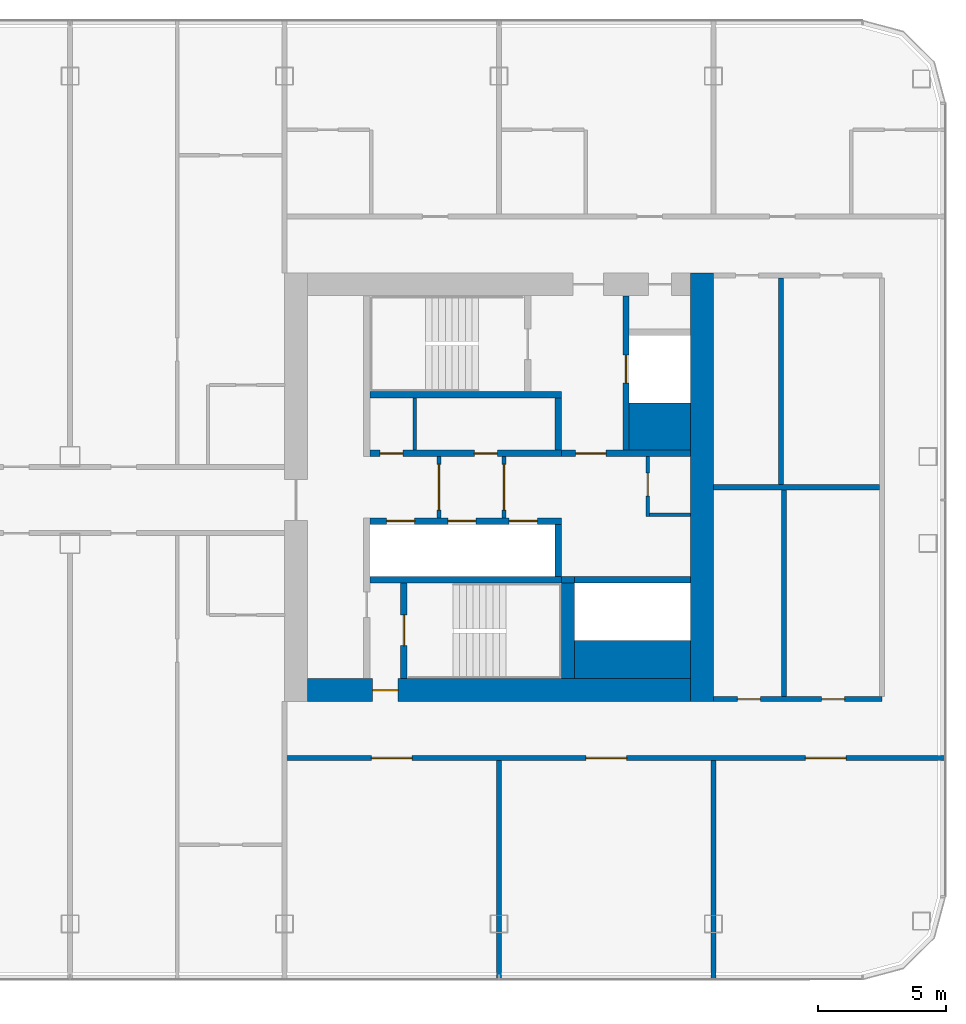
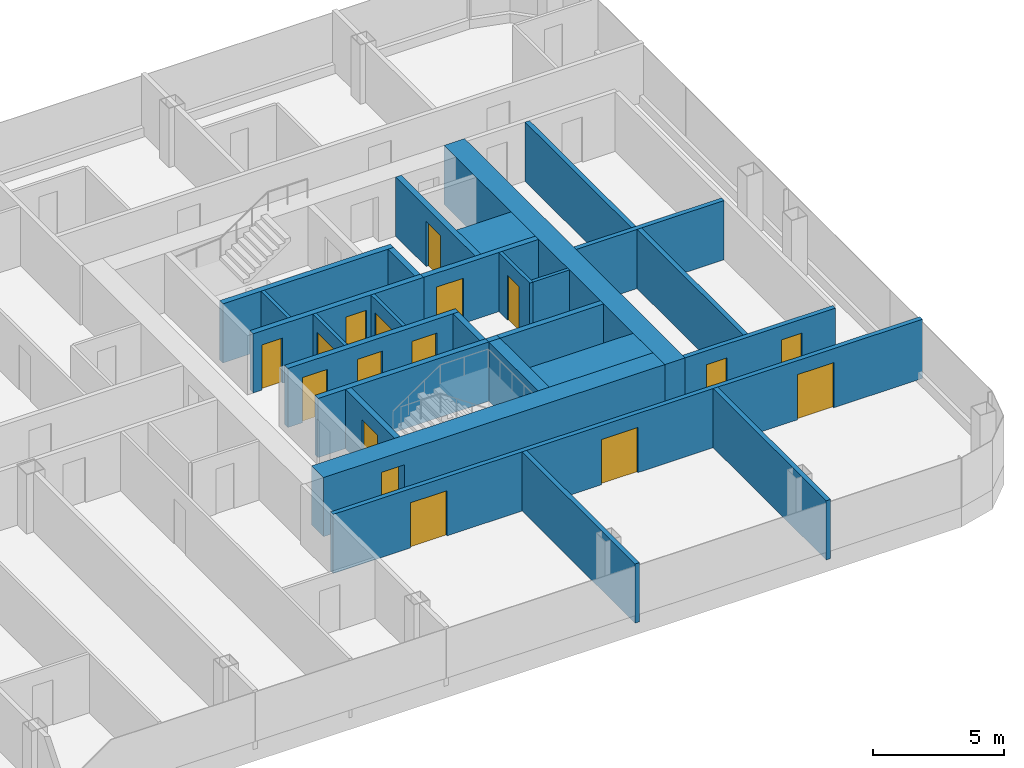
# One storey, part 16 of 26: 28 walls, 17 doors, 17 openings.
"""IFC4 building model written with IfcOpenShell, lengths in metres."""

from ifc_helpers import new_model, si_unit, direction, frame, frame_2d, origin, place, context, subcontext, project, spatial, rectangle, extrude, material, layer, layer_set, type_object, element, fill, save


model = new_model("IFC4")

# Units and contexts
model_context = context("Model", 3, precision=1e-05, world=origin(), true_north=direction((0.0, 1.0)))
body_context = subcontext(model_context, "Body", "Model", "MODEL_VIEW")
ifc_project = project(units=[si_unit("LENGTHUNIT", "METRE"), si_unit("AREAUNIT", "SQUARE_METRE"), si_unit("VOLUMEUNIT", "CUBIC_METRE"), si_unit("PLANEANGLEUNIT", "RADIAN"), si_unit("MASSUNIT", "GRAM", prefix="KILO")], contexts=[model_context])

# Site, building, storey
site_placement = place(None, origin())
site = spatial("IfcSite", under=ifc_project, at=site_placement, CompositionType="ELEMENT")
building_placement = place(site_placement, origin())
building = spatial("IfcBuilding", under=site, at=building_placement, Name="Hakoniwa Tower and Hamabe Station Hall", CompositionType="ELEMENT")
storey_placement = place(building_placement, frame((0.0, 0.0, 143.800048828125)))
storey = spatial("IfcBuildingStorey", under=building, at=storey_placement, Name="L40", CompositionType="ELEMENT", Elevation=143.800048828125)

# Wall, opening, door
ifc_material_1 = material(Name="Gypsum board partition")
ifc_layer_1 = layer(ifc_material_1, 0.14990234375)
ifc_layer_set_1 = layer_set([ifc_layer_1], Name="CORE PARTITION 150 EI 60")
wall_type_1 = type_object("IfcWallType", Name="CORE PARTITION 150 EI 60", PredefinedType="PARTITIONING", material=ifc_layer_set_1)
wall_1_placement = place(storey_placement, frame((22.85009765625, -1.199951171875, 0.0), z_axis=(0.0, 0.0, 1.0), x_axis=(0.0, 1.0, 0.0)))
wall_1 = element("IfcWall", 1, at=wall_1_placement, inside=storey, type_object=wall_type_1, Name="Core partition PL0 east", PredefinedType="PARTITIONING", context=body_context, shape_type="SweptSolid", body=[
    extrude(rectangle(XDim=2.39990234375, YDim=0.14990234375, at=frame_2d((1.199951171875, 0.0))), origin(), (0.0, 0.0, 1.0), 2.75),
])
opening_1_placement = place(wall_1_placement, frame((0.300048828125, 0.0, 0.0)))
opening_1 = element("IfcOpeningElement", 2, at=opening_1_placement, cuts=wall_1, Name="Opening CD-E-LP0-18", PredefinedType="OPENING", context=body_context, shape_type="SweptSolid", body=[
    extrude(rectangle(XDim=1.800048828125, YDim=2.10009765625, at=frame_2d((0.89990234375, 1.050048828125))), frame((0.0, 0.0849609375, 0.0), z_axis=(0.0, -1.0, 0.0), x_axis=(1.0, 0.0, 0.0)), (0.0, 0.0, 1.0), 0.169921875),
])
ifc_material_2 = material(Name="Steel fire door", Category="steel")
door_type_1 = type_object("IfcDoorType", Name="CORE DOOR 1800 FD60", OperationType="DOUBLE_DOOR_SINGLE_SWING", PredefinedType="DOOR", material=ifc_material_2)
door_1_placement = place(opening_1_placement, origin())
door_1 = element("IfcDoor", 3, at=door_1_placement, inside=storey, type_object=door_type_1, Name="Lift lobby partition door", OperationType="DOUBLE_DOOR_SINGLE_SWING", OverallHeight=2.10009765625, OverallWidth=1.800048828125, PredefinedType="DOOR", context=body_context, shape_type="SweptSolid", body=[
    extrude(rectangle(XDim=1.800048828125, YDim=2.10009765625, at=frame_2d((0.89990234375, 1.050048828125))), frame((0.0, 0.02490234375, 0.0), z_axis=(0.0, -1.0, 0.0), x_axis=(1.0, 0.0, 0.0)), (0.0, 0.0, 1.0), 0.050048828125),
])
fill(opening_1, door_1)

wall_2_placement = place(storey_placement, frame((25.39990234375, -1.199951171875, 0.0), z_axis=(0.0, 0.0, 1.0), x_axis=(0.0, 1.0, 0.0)))
wall_2 = element("IfcWall", 4, at=wall_2_placement, inside=storey, type_object=wall_type_1, Name="Core partition PL1 east", PredefinedType="PARTITIONING", context=body_context, shape_type="SweptSolid", body=[
    extrude(rectangle(XDim=2.39990234375, YDim=0.14990234375, at=frame_2d((1.199951171875, 0.0))), origin(), (0.0, 0.0, 1.0), 2.75),
])
opening_2_placement = place(wall_2_placement, frame((0.300048828125, 0.0, 0.0)))
opening_2 = element("IfcOpeningElement", 5, at=opening_2_placement, cuts=wall_2, Name="Opening CD-E-LP1-18", PredefinedType="OPENING", context=body_context, shape_type="SweptSolid", body=[
    extrude(rectangle(XDim=1.800048828125, YDim=2.10009765625, at=frame_2d((0.89990234375, 1.050048828125))), frame((0.0, 0.0849609375, 0.0), z_axis=(0.0, -1.0, 0.0), x_axis=(1.0, 0.0, 0.0)), (0.0, 0.0, 1.0), 0.169921875),
])
door_2_placement = place(opening_2_placement, origin())
door_2 = element("IfcDoor", 6, at=door_2_placement, inside=storey, type_object=door_type_1, Name="Lift lobby partition door", OperationType="DOUBLE_DOOR_SINGLE_SWING", OverallHeight=2.10009765625, OverallWidth=1.800048828125, PredefinedType="DOOR", context=body_context, shape_type="SweptSolid", body=[
    extrude(rectangle(XDim=1.800048828125, YDim=2.10009765625, at=frame_2d((0.89990234375, 1.050048828125))), frame((0.0, 0.02490234375, 0.0), z_axis=(0.0, -1.0, 0.0), x_axis=(1.0, 0.0, 0.0)), (0.0, 0.0, 1.0), 0.050048828125),
])
fill(opening_2, door_2)

wall_3_placement = place(storey_placement, frame((31.02490234375, -1.14990234375, 0.0), z_axis=(0.0, 0.0, 1.0), x_axis=(0.0, 1.0, 0.0)))
wall_3 = element("IfcWall", 7, at=wall_3_placement, inside=storey, type_object=wall_type_1, Name="Core partition PW0 east", PredefinedType="PARTITIONING", context=body_context, shape_type="SweptSolid", body=[
    extrude(rectangle(XDim=2.349853515625, YDim=0.14990234375, at=frame_2d((1.1748046875, 0.0))), origin(), (0.0, 0.0, 1.0), 2.75),
])
opening_3_placement = place(wall_3_placement, frame((0.800048828125, 0.0, 0.0)))
opening_3 = element("IfcOpeningElement", 8, at=opening_3_placement, cuts=wall_3, Name="Opening CD-E-RM1-9", PredefinedType="OPENING", context=body_context, shape_type="SweptSolid", body=[
    extrude(rectangle(XDim=0.89990234375, YDim=2.10009765625, at=frame_2d((0.449951171875, 1.050048828125))), frame((0.0, 0.0849609375, 0.0), z_axis=(0.0, -1.0, 0.0), x_axis=(1.0, 0.0, 0.0)), (0.0, 0.0, 1.0), 0.169921875),
])
ifc_material_3 = material(Name="Steel fire door", Category="steel")
door_type_2 = type_object("IfcDoorType", Name="CORE DOOR 900 FD30", OperationType="NOTDEFINED", PredefinedType="DOOR", material=ifc_material_3)
door_3_placement = place(opening_3_placement, origin())
door_3 = element("IfcDoor", 9, at=door_3_placement, inside=storey, type_object=door_type_2, Name="Store room door", OperationType="SINGLE_SWING_LEFT", OverallHeight=2.10009765625, OverallWidth=0.89990234375, PredefinedType="DOOR", context=body_context, shape_type="SweptSolid", body=[
    extrude(rectangle(XDim=0.89990234375, YDim=2.10009765625, at=frame_2d((0.449951171875, 1.050048828125))), frame((0.0, 0.02490234375, 0.0), z_axis=(0.0, -1.0, 0.0), x_axis=(1.0, 0.0, 0.0)), (0.0, 0.0, 1.0), 0.050048828125),
])
fill(opening_3, door_3)

# Walls
wall_4_placement = place(storey_placement, frame((31.10009765625, -1.074951171875, 0.0), z_axis=(0.0, 0.0, 1.0), x_axis=(1.0, 0.0, 0.0)))
element("IfcWall", 10, at=wall_4_placement, inside=storey, type_object=wall_type_1, Name="Core partition PS east", PredefinedType="PARTITIONING", context=body_context, shape_type="SweptSolid", body=[
    extrude(rectangle(XDim=1.599853515625, YDim=0.14990234375, at=frame_2d((0.7998046875, 0.0))), origin(), (0.0, 0.0, 1.0), 2.75),
])
wall_5_placement = place(storey_placement, frame((21.89990234375, 1.449951171875, 0.0), z_axis=(0.0, 0.0, 1.0), x_axis=(0.0, 1.0, 0.0)))
element("IfcWall", 11, at=wall_5_placement, inside=storey, type_object=wall_type_1, Name="Core partition PFLR0 east", PredefinedType="PARTITIONING", context=body_context, shape_type="SweptSolid", body=[
    extrude(rectangle(XDim=2.050048828125, YDim=0.14990234375, at=frame_2d((1.02490234375, 0.0))), origin(), (0.0, 0.0, 1.0), 2.75),
])
ifc_material_4 = material(Name="Concrete C66", Category="concrete")
ifc_layer_2 = layer(ifc_material_4, 0.89990234375)
ifc_layer_set_2 = layer_set([ifc_layer_2], Name="CORE WALL 900 C66")
wall_type_2 = type_object("IfcWallType", Name="CORE WALL 900 C66", PredefinedType="SHEAR", material=ifc_layer_set_2)
wall_6_placement = place(storey_placement, frame((33.14990234375, -8.39990234375, 0.0), z_axis=(0.0, 0.0, 1.0), x_axis=(0.0, 1.0, 0.0)))
element("IfcWall", 12, at=wall_6_placement, inside=storey, type_object=wall_type_2, Name="Core wall OUTER east", PredefinedType="SHEAR", context=body_context, shape_type="SweptSolid", body=[
    extrude(rectangle(XDim=16.7998046875, YDim=0.89990234375, at=frame_2d((8.39990234375, 0.0))), origin(), (0.0, 0.0, 1.0), 2.75),
])

# Wall, opening, door
wall_7_placement = place(storey_placement, frame((17.699951171875, -7.949951171875, 0.0), z_axis=(0.0, 0.0, 1.0), x_axis=(1.0, 0.0, 0.0)))
wall_7 = element("IfcWall", 13, at=wall_7_placement, inside=storey, type_object=wall_type_2, Name="Core wall SOUTH east", PredefinedType="SHEAR", context=body_context, shape_type="SweptSolid", body=[
    extrude(rectangle(XDim=15.0, YDim=0.89990234375, at=frame_2d((7.5, 0.0))), origin(), (0.0, 0.0, 1.0), 2.75),
])
opening_4_placement = place(wall_7_placement, frame((2.550048828125, 0.0, 0.0)))
opening_4 = element("IfcOpeningElement", 14, at=opening_4_placement, cuts=wall_7, Name="Opening CD-E-FS3-10", PredefinedType="OPENING", context=body_context, shape_type="SweptSolid", body=[
    extrude(rectangle(XDim=1.0, YDim=2.10009765625, at=frame_2d((0.5, 1.050048828125))), frame((0.0, 0.4599609375, 0.0), z_axis=(0.0, -1.0, 0.0), x_axis=(1.0, 0.0, 0.0)), (0.0, 0.0, 1.0), 0.919921875),
])
ifc_material_5 = material(Name="Steel fire door", Category="steel")
door_type_3 = type_object("IfcDoorType", Name="CORE DOOR 1000 FD60", OperationType="NOTDEFINED", PredefinedType="DOOR", material=ifc_material_5)
door_4_placement = place(opening_4_placement, origin())
door_4 = element("IfcDoor", 15, at=door_4_placement, inside=storey, type_object=door_type_3, Name="Stair vestibule door", OperationType="SINGLE_SWING_RIGHT", OverallHeight=2.10009765625, OverallWidth=1.0, PredefinedType="DOOR", context=body_context, shape_type="SweptSolid", body=[
    extrude(rectangle(XDim=1.0, YDim=2.10009765625, at=frame_2d((0.5, 1.050048828125))), frame((0.0, 0.02490234375, 0.0), z_axis=(0.0, -1.0, 0.0), x_axis=(1.0, 0.0, 0.0)), (0.0, 0.0, 1.0), 0.050048828125),
])
fill(opening_4, door_4)

# Walls
ifc_material_6 = material(Name="Concrete C66", Category="concrete")
ifc_layer_3 = layer(ifc_material_6, 1.5)
ifc_layer_set_3 = layer_set([ifc_layer_3], Name="CORE WEB WALL 1500 C66")
wall_type_3 = type_object("IfcWallType", Name="CORE WEB WALL 1500 C66", PredefinedType="SHEAR", material=ifc_layer_set_3)
wall_8_placement = place(storey_placement, frame((28.14990234375, -6.75, 0.0), z_axis=(0.0, 0.0, 1.0), x_axis=(1.0, 0.0, 0.0)))
element("IfcWall", 16, at=wall_8_placement, inside=storey, type_object=wall_type_3, Name="Core wall SER east", PredefinedType="SHEAR", context=body_context, shape_type="SweptSolid", body=[
    extrude(rectangle(XDim=4.550048828125, YDim=1.5, at=frame_2d((2.27490234375, 0.0))), origin(), (0.0, 0.0, 1.0), 2.75),
])
ifc_material_7 = material(Name="Concrete C66", Category="concrete")
ifc_layer_4 = layer(ifc_material_7, 1.85009765625)
ifc_layer_set_4 = layer_set([ifc_layer_4], Name="CORE WEB WALL 1850 C66")
wall_type_4 = type_object("IfcWallType", Name="CORE WEB WALL 1850 C66", PredefinedType="SHEAR", material=ifc_layer_set_4)
wall_9_placement = place(storey_placement, frame((30.300048828125, 2.375, 0.0), z_axis=(0.0, 0.0, 1.0), x_axis=(1.0, 0.0, 0.0)))
element("IfcWall", 17, at=wall_9_placement, inside=storey, type_object=wall_type_4, Name="Core wall CA east", PredefinedType="SHEAR", context=body_context, shape_type="SweptSolid", body=[
    extrude(rectangle(XDim=2.39990234375, YDim=1.85009765625, at=frame_2d((1.199951171875, 0.0))), origin(), (0.0, 0.0, 1.0), 2.75),
])

# Wall, openings, doors
ifc_material_8 = material(Name="Concrete C66", Category="concrete")
ifc_layer_5 = layer(ifc_material_8, 0.25)
ifc_layer_set_5 = layer_set([ifc_layer_5], Name="CORE WEB WALL 250 C66")
wall_type_5 = type_object("IfcWallType", Name="CORE WEB WALL 250 C66", PredefinedType="SHEAR", material=ifc_layer_set_5)
wall_10_placement = place(storey_placement, frame((20.14990234375, 1.324951171875, 0.0), z_axis=(0.0, 0.0, 1.0), x_axis=(1.0, 0.0, 0.0)))
wall_10 = element("IfcWall", 18, at=wall_10_placement, inside=storey, type_object=wall_type_5, Name="Core wall NF east", PredefinedType="SHEAR", context=body_context, shape_type="SweptSolid", body=[
    extrude(rectangle(XDim=7.5, YDim=0.25, at=frame_2d((3.75, 0.0))), origin(), (0.0, 0.0, 1.0), 2.75),
])
opening_5_placement = place(wall_10_placement, frame((0.387451171875, 0.0, 0.0)))
opening_5 = element("IfcOpeningElement", 19, at=opening_5_placement, cuts=wall_10, Name="Opening CD-E-FRLR0-9", PredefinedType="OPENING", context=body_context, shape_type="SweptSolid", body=[
    extrude(rectangle(XDim=0.89990234375, YDim=2.10009765625, at=frame_2d((0.449951171875, 1.050048828125))), frame((0.0, 0.135009765625, 0.0), z_axis=(0.0, -1.0, 0.0), x_axis=(1.0, 0.0, 0.0)), (0.0, 0.0, 1.0), 0.27001953125),
])
opening_6_placement = place(wall_10_placement, frame((4.08740234375, 0.0, 0.0)))
opening_6 = element("IfcOpeningElement", 20, at=opening_6_placement, cuts=wall_10, Name="Opening CD-E-FRLR1-9", PredefinedType="OPENING", context=body_context, shape_type="SweptSolid", body=[
    extrude(rectangle(XDim=0.89990234375, YDim=2.10009765625, at=frame_2d((0.449951171875, 1.050048828125))), frame((0.0, 0.135009765625, 0.0), z_axis=(0.0, -1.0, 0.0), x_axis=(1.0, 0.0, 0.0)), (0.0, 0.0, 1.0), 0.27001953125),
])
door_5_placement = place(opening_5_placement, origin())
door_5 = element("IfcDoor", 21, at=door_5_placement, inside=storey, type_object=door_type_2, Name="Store room door", OperationType="SINGLE_SWING_RIGHT", OverallHeight=2.10009765625, OverallWidth=0.89990234375, PredefinedType="DOOR", context=body_context, shape_type="SweptSolid", body=[
    extrude(rectangle(XDim=0.89990234375, YDim=2.10009765625, at=frame_2d((0.449951171875, 1.050048828125))), frame((0.0, 0.02490234375, 0.0), z_axis=(0.0, -1.0, 0.0), x_axis=(1.0, 0.0, 0.0)), (0.0, 0.0, 1.0), 0.050048828125),
])
fill(opening_5, door_5)
door_6_placement = place(opening_6_placement, origin())
door_6 = element("IfcDoor", 22, at=door_6_placement, inside=storey, type_object=door_type_2, Name="Store room door", OperationType="SINGLE_SWING_LEFT", OverallHeight=2.10009765625, OverallWidth=0.89990234375, PredefinedType="DOOR", context=body_context, shape_type="SweptSolid", body=[
    extrude(rectangle(XDim=0.89990234375, YDim=2.10009765625, at=frame_2d((0.449951171875, 1.050048828125))), frame((0.0, 0.02490234375, 0.0), z_axis=(0.0, -1.0, 0.0), x_axis=(1.0, 0.0, 0.0)), (0.0, 0.0, 1.0), 0.050048828125),
])
fill(opening_6, door_6)

# Walls
wall_11_placement = place(storey_placement, frame((27.52490234375, 1.449951171875, 0.0), z_axis=(0.0, 0.0, 1.0), x_axis=(0.0, 1.0, 0.0)))
element("IfcWall", 23, at=wall_11_placement, inside=storey, type_object=wall_type_5, Name="Core wall NE east", PredefinedType="SHEAR", context=body_context, shape_type="SweptSolid", body=[
    extrude(rectangle(XDim=2.050048828125, YDim=0.25, at=frame_2d((1.02490234375, 0.0))), origin(), (0.0, 0.0, 1.0), 2.75),
])
wall_12_placement = place(storey_placement, frame((20.14990234375, 3.625, 0.0), z_axis=(0.0, 0.0, 1.0), x_axis=(1.0, 0.0, 0.0)))
element("IfcWall", 24, at=wall_12_placement, inside=storey, type_object=wall_type_5, Name="Core wall NR east", PredefinedType="SHEAR", context=body_context, shape_type="SweptSolid", body=[
    extrude(rectangle(XDim=7.5, YDim=0.25, at=frame_2d((3.75, 0.0))), origin(), (0.0, 0.0, 1.0), 2.75),
])

# Wall, opening, door
wall_13_placement = place(storey_placement, frame((27.64990234375, 1.324951171875, 0.0), z_axis=(0.0, 0.0, 1.0), x_axis=(1.0, 0.0, 0.0)))
wall_13 = element("IfcWall", 25, at=wall_13_placement, inside=storey, type_object=wall_type_5, Name="Core wall ELN east", PredefinedType="SHEAR", context=body_context, shape_type="SweptSolid", body=[
    extrude(rectangle(XDim=5.050048828125, YDim=0.25, at=frame_2d((2.52490234375, 0.0))), origin(), (0.0, 0.0, 1.0), 2.75),
])
opening_7_placement = place(wall_13_placement, frame((0.550048828125, 0.0, 0.0)))
opening_7 = element("IfcOpeningElement", 26, at=opening_7_placement, cuts=wall_13, Name="Opening CD-E-FL-12", PredefinedType="OPENING", context=body_context, shape_type="SweptSolid", body=[
    extrude(rectangle(XDim=1.199951171875, YDim=2.10009765625, at=frame_2d((0.60009765625, 1.050048828125))), frame((0.0, 0.135009765625, 0.0), z_axis=(0.0, -1.0, 0.0), x_axis=(1.0, 0.0, 0.0)), (0.0, 0.0, 1.0), 0.27001953125),
])
ifc_material_9 = material(Name="Steel fire door", Category="steel")
door_type_4 = type_object("IfcDoorType", Name="CORE DOOR 1200 FD60", OperationType="DOUBLE_DOOR_SINGLE_SWING", PredefinedType="DOOR", material=ifc_material_9)
door_7_placement = place(opening_7_placement, origin())
door_7 = element("IfcDoor", 27, at=door_7_placement, inside=storey, type_object=door_type_4, Name="Stair vestibule door to the fire-fighting lobby", OperationType="DOUBLE_DOOR_SINGLE_SWING", OverallHeight=2.10009765625, OverallWidth=1.199951171875, PredefinedType="DOOR", context=body_context, shape_type="SweptSolid", body=[
    extrude(rectangle(XDim=1.199951171875, YDim=2.10009765625, at=frame_2d((0.60009765625, 1.050048828125))), frame((0.0, 0.02490234375, 0.0), z_axis=(0.0, -1.0, 0.0), x_axis=(1.0, 0.0, 0.0)), (0.0, 0.0, 1.0), 0.050048828125),
])
fill(opening_7, door_7)

wall_14_placement = place(storey_placement, frame((30.175048828125, 1.449951171875, 0.0), z_axis=(0.0, 0.0, 1.0), x_axis=(0.0, 1.0, 0.0)))
wall_14 = element("IfcWall", 28, at=wall_14_placement, inside=storey, type_object=wall_type_5, Name="Core wall FFF east", PredefinedType="SHEAR", context=body_context, shape_type="SweptSolid", body=[
    extrude(rectangle(XDim=6.050048828125, YDim=0.25, at=frame_2d((3.02490234375, 0.0))), origin(), (0.0, 0.0, 1.0), 2.75),
])
opening_8_placement = place(wall_14_placement, frame((2.625, 0.0, 0.0)))
opening_8 = element("IfcOpeningElement", 29, at=opening_8_placement, cuts=wall_14, Name="Opening LD-FF2", PredefinedType="OPENING", context=body_context, shape_type="SweptSolid", body=[
    extrude(rectangle(XDim=1.10009765625, YDim=2.10009765625, at=frame_2d((0.550048828125, 1.050048828125))), frame((0.0, 0.135009765625, 0.0), z_axis=(0.0, -1.0, 0.0), x_axis=(1.0, 0.0, 0.0)), (0.0, 0.0, 1.0), 0.27001953125),
])
ifc_material_10 = material(Name="Stainless steel SUS304", Category="steel")
door_type_5 = type_object("IfcDoorType", Name="LIFT LANDING DOOR 1100 FD60", OperationType="DOUBLE_DOOR_SLIDING", PredefinedType="DOOR", material=ifc_material_10)
door_8_placement = place(opening_8_placement, origin())
door_8 = element("IfcDoor", 30, at=door_8_placement, inside=storey, type_object=door_type_5, Name="Lift landing door FF2 L40", OperationType="DOUBLE_DOOR_SLIDING", OverallHeight=2.10009765625, OverallWidth=1.10009765625, PredefinedType="DOOR", context=body_context, shape_type="SweptSolid", body=[
    extrude(rectangle(XDim=1.10009765625, YDim=2.10009765625, at=frame_2d((0.550048828125, 1.050048828125))), frame((0.0, 0.02490234375, 0.0), z_axis=(0.0, -1.0, 0.0), x_axis=(1.0, 0.0, 0.0)), (0.0, 0.0, 1.0), 0.050048828125),
])
fill(opening_8, door_8)

# Wall, openings, doors
wall_15_placement = place(storey_placement, frame((20.14990234375, -1.324951171875, 0.0), z_axis=(0.0, 0.0, 1.0), x_axis=(1.0, 0.0, 0.0)))
wall_15 = element("IfcWall", 31, at=wall_15_placement, inside=storey, type_object=wall_type_5, Name="Core wall SF east", PredefinedType="SHEAR", context=body_context, shape_type="SweptSolid", body=[
    extrude(rectangle(XDim=7.5, YDim=0.25, at=frame_2d((3.75, 0.0))), origin(), (0.0, 0.0, 1.0), 2.75),
])
opening_9_placement = place(wall_15_placement, frame((0.64990234375, 0.0, 0.0)))
opening_9 = element("IfcOpeningElement", 32, at=opening_9_placement, cuts=wall_15, Name="Opening LD-HR4", PredefinedType="OPENING", context=body_context, shape_type="SweptSolid", body=[
    extrude(rectangle(XDim=1.10009765625, YDim=2.10009765625, at=frame_2d((0.550048828125, 1.050048828125))), frame((0.0, 0.135009765625, 0.0), z_axis=(0.0, -1.0, 0.0), x_axis=(1.0, 0.0, 0.0)), (0.0, 0.0, 1.0), 0.27001953125),
])
opening_10_placement = place(wall_15_placement, frame((3.050048828125, 0.0, 0.0)))
opening_10 = element("IfcOpeningElement", 33, at=opening_10_placement, cuts=wall_15, Name="Opening LD-HR5", PredefinedType="OPENING", context=body_context, shape_type="SweptSolid", body=[
    extrude(rectangle(XDim=1.10009765625, YDim=2.10009765625, at=frame_2d((0.550048828125, 1.050048828125))), frame((0.0, 0.135009765625, 0.0), z_axis=(0.0, -1.0, 0.0), x_axis=(1.0, 0.0, 0.0)), (0.0, 0.0, 1.0), 0.27001953125),
])
opening_11_placement = place(wall_15_placement, frame((5.449951171875, 0.0, 0.0)))
opening_11 = element("IfcOpeningElement", 34, at=opening_11_placement, cuts=wall_15, Name="Opening LD-HR6", PredefinedType="OPENING", context=body_context, shape_type="SweptSolid", body=[
    extrude(rectangle(XDim=1.10009765625, YDim=2.10009765625, at=frame_2d((0.550048828125, 1.050048828125))), frame((0.0, 0.135009765625, 0.0), z_axis=(0.0, -1.0, 0.0), x_axis=(1.0, 0.0, 0.0)), (0.0, 0.0, 1.0), 0.27001953125),
])
door_9_placement = place(opening_9_placement, origin())
door_9 = element("IfcDoor", 35, at=door_9_placement, inside=storey, type_object=door_type_5, Name="Lift landing door HR4 L40", OperationType="DOUBLE_DOOR_SLIDING", OverallHeight=2.10009765625, OverallWidth=1.10009765625, PredefinedType="DOOR", context=body_context, shape_type="SweptSolid", body=[
    extrude(rectangle(XDim=1.10009765625, YDim=2.10009765625, at=frame_2d((0.550048828125, 1.050048828125))), frame((0.0, 0.02490234375, 0.0), z_axis=(0.0, -1.0, 0.0), x_axis=(1.0, 0.0, 0.0)), (0.0, 0.0, 1.0), 0.050048828125),
])
fill(opening_9, door_9)
door_10_placement = place(opening_10_placement, origin())
door_10 = element("IfcDoor", 36, at=door_10_placement, inside=storey, type_object=door_type_5, Name="Lift landing door HR5 L40", OperationType="DOUBLE_DOOR_SLIDING", OverallHeight=2.10009765625, OverallWidth=1.10009765625, PredefinedType="DOOR", context=body_context, shape_type="SweptSolid", body=[
    extrude(rectangle(XDim=1.10009765625, YDim=2.10009765625, at=frame_2d((0.550048828125, 1.050048828125))), frame((0.0, 0.02490234375, 0.0), z_axis=(0.0, -1.0, 0.0), x_axis=(1.0, 0.0, 0.0)), (0.0, 0.0, 1.0), 0.050048828125),
])
fill(opening_10, door_10)
door_11_placement = place(opening_11_placement, origin())
door_11 = element("IfcDoor", 37, at=door_11_placement, inside=storey, type_object=door_type_5, Name="Lift landing door HR6 L40", OperationType="DOUBLE_DOOR_SLIDING", OverallHeight=2.10009765625, OverallWidth=1.10009765625, PredefinedType="DOOR", context=body_context, shape_type="SweptSolid", body=[
    extrude(rectangle(XDim=1.10009765625, YDim=2.10009765625, at=frame_2d((0.550048828125, 1.050048828125))), frame((0.0, 0.02490234375, 0.0), z_axis=(0.0, -1.0, 0.0), x_axis=(1.0, 0.0, 0.0)), (0.0, 0.0, 1.0), 0.050048828125),
])
fill(opening_11, door_11)

# Walls
wall_16_placement = place(storey_placement, frame((27.52490234375, -3.5, 0.0), z_axis=(0.0, 0.0, 1.0), x_axis=(0.0, 1.0, 0.0)))
element("IfcWall", 38, at=wall_16_placement, inside=storey, type_object=wall_type_5, Name="Core wall SE east", PredefinedType="SHEAR", context=body_context, shape_type="SweptSolid", body=[
    extrude(rectangle(XDim=2.050048828125, YDim=0.25, at=frame_2d((1.02490234375, 0.0))), origin(), (0.0, 0.0, 1.0), 2.75),
])
wall_17_placement = place(storey_placement, frame((20.14990234375, -3.625, 0.0), z_axis=(0.0, 0.0, 1.0), x_axis=(1.0, 0.0, 0.0)))
element("IfcWall", 39, at=wall_17_placement, inside=storey, type_object=wall_type_5, Name="Core wall SR east", PredefinedType="SHEAR", context=body_context, shape_type="SweptSolid", body=[
    extrude(rectangle(XDim=7.5, YDim=0.25, at=frame_2d((3.75, 0.0))), origin(), (0.0, 0.0, 1.0), 2.75),
])

# Wall, opening, door
wall_18_placement = place(storey_placement, frame((21.47509765625, -7.5, 0.0), z_axis=(0.0, 0.0, 1.0), x_axis=(0.0, 1.0, 0.0)))
wall_18 = element("IfcWall", 40, at=wall_18_placement, inside=storey, type_object=wall_type_5, Name="Core wall VE east", PredefinedType="SHEAR", context=body_context, shape_type="SweptSolid", body=[
    extrude(rectangle(XDim=3.75, YDim=0.25, at=frame_2d((1.875, 0.0))), origin(), (0.0, 0.0, 1.0), 2.75),
])
opening_12_placement = place(wall_18_placement, frame((1.300048828125, 0.0, 0.0)))
opening_12 = element("IfcOpeningElement", 41, at=opening_12_placement, cuts=wall_18, Name="Opening CD-E-SS-12", PredefinedType="OPENING", context=body_context, shape_type="SweptSolid", body=[
    extrude(rectangle(XDim=1.199951171875, YDim=2.10009765625, at=frame_2d((0.60009765625, 1.050048828125))), frame((0.0, 0.135009765625, 0.0), z_axis=(0.0, -1.0, 0.0), x_axis=(1.0, 0.0, 0.0)), (0.0, 0.0, 1.0), 0.27001953125),
])
door_12_placement = place(opening_12_placement, origin())
door_12 = element("IfcDoor", 42, at=door_12_placement, inside=storey, type_object=door_type_4, Name="Escape stair door", OperationType="DOUBLE_DOOR_SINGLE_SWING", OverallHeight=2.10009765625, OverallWidth=1.199951171875, PredefinedType="DOOR", context=body_context, shape_type="SweptSolid", body=[
    extrude(rectangle(XDim=1.199951171875, YDim=2.10009765625, at=frame_2d((0.60009765625, 1.050048828125))), frame((0.0, 0.02490234375, 0.0), z_axis=(0.0, -1.0, 0.0), x_axis=(1.0, 0.0, 0.0)), (0.0, 0.0, 1.0), 0.050048828125),
])
fill(opening_12, door_12)

# Walls
wall_19_placement = place(storey_placement, frame((28.14990234375, -3.625, 0.0), z_axis=(0.0, 0.0, 1.0), x_axis=(1.0, 0.0, 0.0)))
element("IfcWall", 43, at=wall_19_placement, inside=storey, type_object=wall_type_5, Name="Core wall SEF east", PredefinedType="SHEAR", context=body_context, shape_type="SweptSolid", body=[
    extrude(rectangle(XDim=4.550048828125, YDim=0.25, at=frame_2d((2.27490234375, 0.0))), origin(), (0.0, 0.0, 1.0), 2.75),
])
wall_20_placement = place(storey_placement, frame((27.64990234375, -3.625, 0.0), z_axis=(0.0, 0.0, 1.0), x_axis=(1.0, 0.0, 0.0)))
element("IfcWall", 44, at=wall_20_placement, inside=storey, type_object=wall_type_5, Name="Core wall SRK east", PredefinedType="SHEAR", context=body_context, shape_type="SweptSolid", body=[
    extrude(rectangle(XDim=0.5, YDim=0.25, at=frame_2d((0.25, 0.0))), origin(), (0.0, 0.0, 1.0), 2.75),
])
ifc_material_11 = material(Name="Concrete C66", Category="concrete")
ifc_layer_6 = layer(ifc_material_11, 0.5)
ifc_layer_set_6 = layer_set([ifc_layer_6], Name="CORE WEB WALL 500 C66")
wall_type_6 = type_object("IfcWallType", Name="CORE WEB WALL 500 C66", PredefinedType="SHEAR", material=ifc_layer_set_6)
wall_21_placement = place(storey_placement, frame((27.89990234375, -7.5, 0.0), z_axis=(0.0, 0.0, 1.0), x_axis=(0.0, 1.0, 0.0)))
element("IfcWall", 45, at=wall_21_placement, inside=storey, type_object=wall_type_6, Name="Core wall SSE east", PredefinedType="SHEAR", context=body_context, shape_type="SweptSolid", body=[
    extrude(rectangle(XDim=3.75, YDim=0.5, at=frame_2d((1.875, 0.0))), origin(), (0.0, 0.0, 1.0), 2.75),
])

# Wall, openings, doors
ifc_material_12 = material(Name="Fire-rated gypsum board partition", Category="gypsum")
ifc_layer_7 = layer(ifc_material_12, 0.199951171875)
ifc_layer_set_7 = layer_set([ifc_layer_7], Name="Corridor Wall 200")
wall_type_7 = type_object("IfcWallType", Name="Corridor Wall 200", PredefinedType="PARTITIONING", material=ifc_layer_set_7)
wall_22_placement = place(storey_placement, frame((16.800048828125, -10.60009765625, 0.0), z_axis=(0.0, 0.0, 1.0), x_axis=(1.0, 0.0, 0.0)))
wall_22 = element("IfcWall", 46, at=wall_22_placement, inside=storey, type_object=wall_type_7, Name="GW-L40-005", PredefinedType="PARTITIONING", context=body_context, shape_type="SweptSolid", body=[
    extrude(rectangle(XDim=25.89990234375, YDim=0.199951171875, at=frame_2d((12.949951171875, 0.0))), origin(), (0.0, 0.0, 1.0), 2.75),
])
opening_13_placement = place(wall_22_placement, frame((3.39990234375, 0.0, 0.0)))
opening_13 = element("IfcOpeningElement", 47, at=opening_13_placement, cuts=wall_22, Name="Opening GD-G3E0-10", PredefinedType="OPENING", context=body_context, shape_type="SweptSolid", body=[
    extrude(rectangle(XDim=1.60009765625, YDim=2.10009765625, at=frame_2d((0.800048828125, 1.050048828125))), frame((0.0, 0.10986328125, 0.0), z_axis=(0.0, -1.0, 0.0), x_axis=(1.0, 0.0, 0.0)), (0.0, 0.0, 1.0), 0.219970703125),
])
opening_14_placement = place(wall_22_placement, frame((11.800048828125, 0.0, 0.0)))
opening_14 = element("IfcOpeningElement", 48, at=opening_14_placement, cuts=wall_22, Name="Opening GD-G3E0-11", PredefinedType="OPENING", context=body_context, shape_type="SweptSolid", body=[
    extrude(rectangle(XDim=1.60009765625, YDim=2.10009765625, at=frame_2d((0.800048828125, 1.050048828125))), frame((0.0, 0.10986328125, 0.0), z_axis=(0.0, -1.0, 0.0), x_axis=(1.0, 0.0, 0.0)), (0.0, 0.0, 1.0), 0.219970703125),
])
opening_15_placement = place(wall_22_placement, frame((20.39990234375, 0.0, 0.0)))
opening_15 = element("IfcOpeningElement", 49, at=opening_15_placement, cuts=wall_22, Name="Opening GD-G3E0-12", PredefinedType="OPENING", context=body_context, shape_type="SweptSolid", body=[
    extrude(rectangle(XDim=1.60009765625, YDim=2.10009765625, at=frame_2d((0.800048828125, 1.050048828125))), frame((0.0, 0.10986328125, 0.0), z_axis=(0.0, -1.0, 0.0), x_axis=(1.0, 0.0, 0.0)), (0.0, 0.0, 1.0), 0.219970703125),
])
ifc_material_13 = material(Name="Timber door leaf", Category="wood")
door_type_6 = type_object("IfcDoorType", Name="Double Door 1600", OperationType="DOUBLE_DOOR_SINGLE_SWING", PredefinedType="DOOR", material=ifc_material_13)
door_13_placement = place(opening_13_placement, origin())
door_13 = element("IfcDoor", 50, at=door_13_placement, inside=storey, type_object=door_type_6, Name="Door GD-G3E0-10", OperationType="DOUBLE_DOOR_SINGLE_SWING", OverallHeight=2.10009765625, OverallWidth=1.60009765625, PredefinedType="DOOR", context=body_context, shape_type="SweptSolid", body=[
    extrude(rectangle(XDim=1.60009765625, YDim=2.10009765625, at=frame_2d((0.800048828125, 1.050048828125))), frame((0.0, 0.02490234375, 0.0), z_axis=(0.0, -1.0, 0.0), x_axis=(1.0, 0.0, 0.0)), (0.0, 0.0, 1.0), 0.050048828125),
])
fill(opening_13, door_13)
door_14_placement = place(opening_14_placement, origin())
door_14 = element("IfcDoor", 51, at=door_14_placement, inside=storey, type_object=door_type_6, Name="Door GD-G3E0-11", OperationType="DOUBLE_DOOR_SINGLE_SWING", OverallHeight=2.10009765625, OverallWidth=1.60009765625, PredefinedType="DOOR", context=body_context, shape_type="SweptSolid", body=[
    extrude(rectangle(XDim=1.60009765625, YDim=2.10009765625, at=frame_2d((0.800048828125, 1.050048828125))), frame((0.0, 0.02490234375, 0.0), z_axis=(0.0, -1.0, 0.0), x_axis=(1.0, 0.0, 0.0)), (0.0, 0.0, 1.0), 0.050048828125),
])
fill(opening_14, door_14)
door_15_placement = place(opening_15_placement, origin())
door_15 = element("IfcDoor", 52, at=door_15_placement, inside=storey, type_object=door_type_6, Name="Door GD-G3E0-12", OperationType="DOUBLE_DOOR_SINGLE_SWING", OverallHeight=2.10009765625, OverallWidth=1.60009765625, PredefinedType="DOOR", context=body_context, shape_type="SweptSolid", body=[
    extrude(rectangle(XDim=1.60009765625, YDim=2.10009765625, at=frame_2d((0.800048828125, 1.050048828125))), frame((0.0, 0.02490234375, 0.0), z_axis=(0.0, -1.0, 0.0), x_axis=(1.0, 0.0, 0.0)), (0.0, 0.0, 1.0), 0.050048828125),
])
fill(opening_15, door_15)

wall_23_placement = place(storey_placement, frame((33.60009765625, -8.300048828125, 0.0), z_axis=(0.0, 0.0, 1.0), x_axis=(1.0, 0.0, 0.0)))
wall_23 = element("IfcWall", 53, at=wall_23_placement, inside=storey, type_object=wall_type_7, Name="GW-L40-007", PredefinedType="PARTITIONING", context=body_context, shape_type="SweptSolid", body=[
    extrude(rectangle(XDim=6.599853515625, YDim=0.199951171875, at=frame_2d((3.2998046875, 0.0))), origin(), (0.0, 0.0, 1.0), 2.75),
])
opening_16_placement = place(wall_23_placement, frame((0.93505859375, 0.0, 0.0)))
opening_16 = element("IfcOpeningElement", 54, at=opening_16_placement, cuts=wall_23, Name="Opening GD-G3E0-15", PredefinedType="OPENING", context=body_context, shape_type="SweptSolid", body=[
    extrude(rectangle(XDim=0.89990234375, YDim=2.10009765625, at=frame_2d((0.449951171875, 1.050048828125))), frame((0.0, 0.10986328125, 0.0), z_axis=(0.0, -1.0, 0.0), x_axis=(1.0, 0.0, 0.0)), (0.0, 0.0, 1.0), 0.219970703125),
])
opening_17_placement = place(wall_23_placement, frame((4.235107421875, 0.0, 0.0)))
opening_17 = element("IfcOpeningElement", 55, at=opening_17_placement, cuts=wall_23, Name="Opening GD-G3E0-16", PredefinedType="OPENING", context=body_context, shape_type="SweptSolid", body=[
    extrude(rectangle(XDim=0.89990234375, YDim=2.10009765625, at=frame_2d((0.449951171875, 1.050048828125))), frame((0.0, 0.10986328125, 0.0), z_axis=(0.0, -1.0, 0.0), x_axis=(1.0, 0.0, 0.0)), (0.0, 0.0, 1.0), 0.219970703125),
])
ifc_material_14 = material(Name="Timber door leaf", Category="wood")
door_type_7 = type_object("IfcDoorType", Name="Service Door 900", OperationType="SINGLE_SWING_LEFT", PredefinedType="DOOR", material=ifc_material_14)
door_16_placement = place(opening_16_placement, origin())
door_16 = element("IfcDoor", 56, at=door_16_placement, inside=storey, type_object=door_type_7, Name="Door GD-G3E0-15", OperationType="SINGLE_SWING_LEFT", OverallHeight=2.10009765625, OverallWidth=0.89990234375, PredefinedType="DOOR", context=body_context, shape_type="SweptSolid", body=[
    extrude(rectangle(XDim=0.89990234375, YDim=2.10009765625, at=frame_2d((0.449951171875, 1.050048828125))), frame((0.0, 0.02490234375, 0.0), z_axis=(0.0, -1.0, 0.0), x_axis=(1.0, 0.0, 0.0)), (0.0, 0.0, 1.0), 0.050048828125),
])
fill(opening_16, door_16)
door_17_placement = place(opening_17_placement, origin())
door_17 = element("IfcDoor", 57, at=door_17_placement, inside=storey, type_object=door_type_7, Name="Door GD-G3E0-16", OperationType="SINGLE_SWING_RIGHT", OverallHeight=2.10009765625, OverallWidth=0.89990234375, PredefinedType="DOOR", context=body_context, shape_type="SweptSolid", body=[
    extrude(rectangle(XDim=0.89990234375, YDim=2.10009765625, at=frame_2d((0.449951171875, 1.050048828125))), frame((0.0, 0.02490234375, 0.0), z_axis=(0.0, -1.0, 0.0), x_axis=(1.0, 0.0, 0.0)), (0.0, 0.0, 1.0), 0.050048828125),
])
fill(opening_17, door_17)

# Walls
ifc_material_15 = material(Name="Fire-rated gypsum board partition", Category="gypsum")
ifc_layer_8 = layer(ifc_material_15, 0.199951171875)
ifc_layer_set_8 = layer_set([ifc_layer_8], Name="Party Wall 200")
wall_type_8 = type_object("IfcWallType", Name="Party Wall 200", PredefinedType="PARTITIONING", material=ifc_layer_set_8)
wall_24_placement = place(storey_placement, frame((33.60009765625, 0.0, 0.0), z_axis=(0.0, 0.0, 1.0), x_axis=(1.0, 0.0, 0.0)))
element("IfcWall", 58, at=wall_24_placement, inside=storey, type_object=wall_type_8, Name="GW-L40-014", PredefinedType="PARTITIONING", context=body_context, shape_type="SweptSolid", body=[
    extrude(rectangle(XDim=6.5, YDim=0.199951171875, at=frame_2d((3.25, 0.0))), origin(), (0.0, 0.0, 1.0), 2.75),
])
for number, where, z_axis, x_axis, name in (
    (59, (25.199951171875, -19.300048828125, 0.0), (0.0, 0.0, 1.0), (0.0, 1.0, 0.0), "GW-L40-066"),
    (60, (33.60009765625, -19.300048828125, 0.0), (0.0, 0.0, 1.0), (0.0, 1.0, 0.0), "GW-L40-069"),
):
    element("IfcWall", number, at=place(storey_placement, frame(where, z_axis=z_axis, x_axis=x_axis)), inside=storey, type_object=wall_type_8, Name=name, PredefinedType="PARTITIONING", context=body_context, shape_type="SweptSolid", body=[
        extrude(rectangle(XDim=8.60009765625, YDim=0.199951171875, at=frame_2d((4.300048828125, 0.0))), origin(), (0.0, 0.0, 1.0), 2.75),
    ])
for number, where, z_axis, x_axis, name in (
    (61, (36.239990234375, 0.0, 0.0), (0.0, 0.0, 1.0), (0.0, 1.0, 0.0), "GW-L40-071"),
    (62, (36.3701171875, -8.199951171875, 0.0), (0.0, 0.0, 1.0), (0.0, 1.0, 0.0), "GW-L40-072"),
):
    element("IfcWall", number, at=place(storey_placement, frame(where, z_axis=z_axis, x_axis=x_axis)), inside=storey, type_object=wall_type_8, Name=name, PredefinedType="PARTITIONING", context=body_context, shape_type="SweptSolid", body=[
        extrude(rectangle(XDim=8.199951171875, YDim=0.199951171875, at=frame_2d((4.10009765625, 0.0))), origin(), (0.0, 0.0, 1.0), 2.75),
    ])

save(model, "model.ifc")
